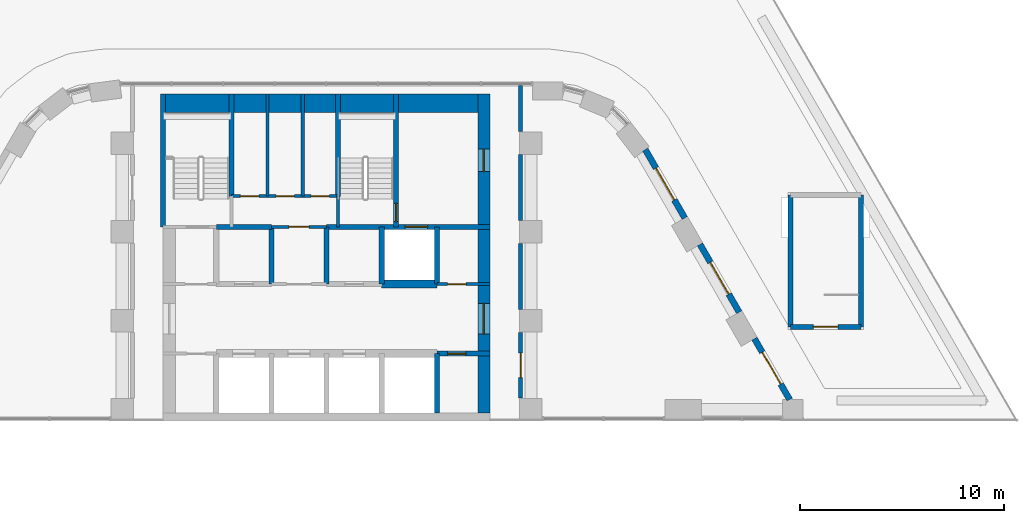
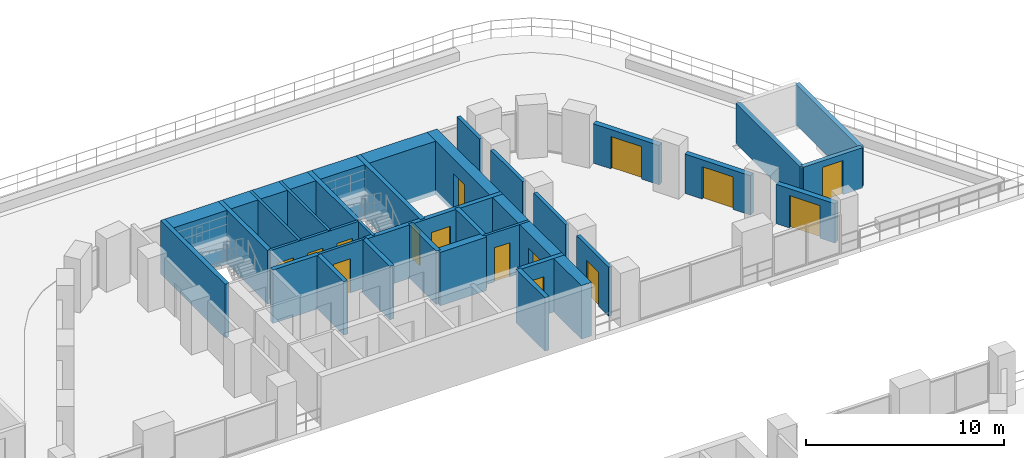
# One storey, part 14 of 24: 31 walls, 15 doors, 15 openings.
"""IFC4 building model written with IfcOpenShell, lengths in metres."""

from ifc_helpers import new_model, si_unit, direction, frame, frame_2d, origin, place, context, subcontext, project, spatial, rectangle, extrude, material, layer, layer_set, type_object, element, fill, save


model = new_model("IFC4")

# Units and contexts
model_context = context("Model", 3, precision=1e-05, world=origin(), true_north=direction((0.0, 1.0)))
body_context = subcontext(model_context, "Body", "Model", "MODEL_VIEW")
ifc_project = project(units=[si_unit("LENGTHUNIT", "METRE"), si_unit("AREAUNIT", "SQUARE_METRE"), si_unit("VOLUMEUNIT", "CUBIC_METRE"), si_unit("PLANEANGLEUNIT", "RADIAN"), si_unit("MASSUNIT", "GRAM", prefix="KILO")], contexts=[model_context])

# Site, building, storey
site_placement = place(None, origin())
site = spatial("IfcSite", under=ifc_project, at=site_placement, CompositionType="ELEMENT")
building_placement = place(site_placement, origin())
building = spatial("IfcBuilding", under=site, at=building_placement, Name="Nakaniwa Court", CompositionType="ELEMENT")
storey_placement = place(building_placement, frame((0.0, 0.0, 28.199951171875)))
storey = spatial("IfcBuildingStorey", under=building, at=storey_placement, Name="L06", CompositionType="ELEMENT", Elevation=28.199951171875)

# Wall, opening, door
ifc_material_1 = material(Name="Acoustic double stud partition")
ifc_layer_1 = layer(ifc_material_1, 0.199951171875)
ifc_layer_set_1 = layer_set([ifc_layer_1], Name="Acoustic double stud partition")
wall_type_1 = type_object("IfcWallType", Name="Acoustic double stud partition 200", PredefinedType="PARTITIONING", material=ifc_layer_set_1)
wall_1_placement = place(storey_placement, frame((89.5, 91.73291015625, 0.0), z_axis=(0.0, 0.0, 1.0), x_axis=(0.0, -1.0, 0.0)))
wall_1 = element("IfcWall", 1, at=wall_1_placement, inside=storey, type_object=wall_type_1, Name="Partition PW-073", PredefinedType="PARTITIONING", context=body_context, shape_type="SweptSolid", body=[
    extrude(rectangle(XDim=3.2158203125, YDim=0.199951171875, at=frame_2d((1.60791015625, 0.0))), origin(), (0.0, 0.0, 1.0), 3.025146484375),
])
opening_1_placement = place(wall_1_placement, frame((1.008056640625, 0.0, 0.0)))
opening_1 = element("IfcOpeningElement", 2, at=opening_1_placement, cuts=wall_1, Name="Opening D-30-02", PredefinedType="OPENING", context=body_context, shape_type="SweptSolid", body=[
    extrude(rectangle(XDim=1.199951171875, YDim=2.10009765625, at=frame_2d((0.60009765625, 1.050048828125))), frame((0.0, 0.10986328125, 0.0), z_axis=(0.0, -1.0, 0.0), x_axis=(1.0, 0.0, 0.0)), (0.0, 0.0, 1.0), 0.219970703125),
])
ifc_material_2 = material(Name="Solid core timber door set, black veneer", Category="wood")
door_type_1 = type_object("IfcDoorType", Name="Internal door 1200", OperationType="NOTDEFINED", PredefinedType="DOOR", material=ifc_material_2)
door_1_placement = place(opening_1_placement, origin())
door_1 = element("IfcDoor", 3, at=door_1_placement, inside=storey, type_object=door_type_1, Name="Door D-30-02 L06-028", OperationType="SINGLE_SWING_LEFT", OverallHeight=2.10009765625, OverallWidth=1.199951171875, PredefinedType="DOOR", context=body_context, shape_type="SweptSolid", body=[
    extrude(rectangle(XDim=1.199951171875, YDim=2.10009765625, at=frame_2d((0.60009765625, 1.050048828125))), frame((0.0, 0.02490234375, 0.0), z_axis=(0.0, -1.0, 0.0), x_axis=(1.0, 0.0, 0.0)), (0.0, 0.0, 1.0), 0.050048828125),
])
fill(opening_1, door_1)

# Walls
for number, where, z_axis, x_axis, name in (
    (4, (89.5, 92.866943359375, 0.0), (0.0, 0.0, 1.0), (0.0, 1.0, 0.0), "Partition PW-074"),
    (5, (89.5, 97.217041015625, 0.0), (0.0, 0.0, 1.0), (0.0, 1.0, 0.0), "Partition PW-075"),
):
    element("IfcWall", number, at=place(storey_placement, frame(where, z_axis=z_axis, x_axis=x_axis)), inside=storey, type_object=wall_type_1, Name=name, PredefinedType="PARTITIONING", context=body_context, shape_type="SweptSolid", body=[
        extrude(rectangle(XDim=3.216064453125, YDim=0.199951171875, at=frame_2d((1.60791015625, 0.0))), origin(), (0.0, 0.0, 1.0), 3.025146484375),
    ])
wall_2_placement = place(storey_placement, frame((89.5, 101.56689453125, 0.0), z_axis=(0.0, 0.0, 1.0), x_axis=(0.0, 1.0, 0.0)))
element("IfcWall", 6, at=wall_2_placement, inside=storey, type_object=wall_type_1, Name="Partition PW-076", PredefinedType="PARTITIONING", context=body_context, shape_type="SweptSolid", body=[
    extrude(rectangle(XDim=2.253173828125, YDim=0.199951171875, at=frame_2d((1.12646484375, 0.0))), origin(), (0.0, 0.0, 1.0), 3.025146484375),
])

# Wall, opening, door
ifc_material_3 = material(Name="Charcoal ceramic cladding")
ifc_layer_2 = layer(ifc_material_3, 0.02, Name="Ceramic cladding")
ifc_material_4 = material(Name="Ventilated air cavity")
ifc_layer_3 = layer(ifc_material_4, 0.04, ventilated=True, Name="Ventilated cavity")
ifc_material_5 = material(Name="Mineral wool insulation")
ifc_layer_4 = layer(ifc_material_5, 0.1, Name="Insulation")
ifc_material_6 = material(Name="Cement bonded sheathing board")
ifc_layer_5 = layer(ifc_material_6, 0.012, Name="Sheathing")
ifc_material_7 = material(Name="Cold-formed galvanised stud frame with mineral wool infill")
ifc_layer_6 = layer(ifc_material_7, 0.1, Name="Stud frame")
ifc_material_8 = material(Name="Fire-rated gypsum plasterboard lining")
ifc_layer_7 = layer(ifc_material_8, 0.028, Name="Lining")
ifc_layer_set_2 = layer_set([ifc_layer_2, ifc_layer_3, ifc_layer_4, ifc_layer_5, ifc_layer_6, ifc_layer_7], Name="Charcoal ceramic faced external wall system")
wall_type_2 = type_object("IfcWallType", Name="Black ceramic faced external wall 300", PredefinedType="SOLIDWALL", material=ifc_layer_set_2)
wall_3_placement = place(storey_placement, frame((102.6630859375, 88.446533203125, 0.0), z_axis=(0.0, 0.0, 1.0), x_axis=(-0.500035437112, 0.866004943191, 0.0)))
wall_3 = element("IfcWall", 7, at=wall_3_placement, inside=storey, type_object=wall_type_2, Name="L06 deck wall 21", PredefinedType="SOLIDWALL", context=body_context, shape_type="SweptSolid", body=[
    extrude(rectangle(XDim=3.443603515625, YDim=0.300048828125, at=frame_2d((1.7216796875, 0.0))), origin(), (0.0, 0.0, 1.0), 2.425048828125),
])
opening_2_placement = place(wall_3_placement, frame((0.872314453125, 0.0, 0.0)))
opening_2 = element("IfcOpeningElement", 8, at=opening_2_placement, cuts=wall_3, Name="Opening XD9.09", PredefinedType="OPENING", context=body_context, shape_type="SweptSolid", body=[
    extrude(rectangle(XDim=1.800048828125, YDim=2.0, at=frame_2d((0.89990234375, 1.0))), frame((0.0, 0.159912109375, 0.0), z_axis=(0.0, -1.0, 0.0), x_axis=(1.0, 0.0, 0.0)), (0.0, 0.0, 1.0), 0.320068359375),
])
ifc_material_9 = material(Name="Black powder-coated aluminium frame with dark laminated glass", Category="aluminium")
door_type_2 = type_object("IfcDoorType", Name="Deck double door 1800x2000", OperationType="DOUBLE_DOOR_SINGLE_SWING", PredefinedType="DOOR", material=ifc_material_9)
door_2_placement = place(opening_2_placement, frame((1.800048828125, 0.0, 0.0), z_axis=(0.0, 0.0, 1.0), x_axis=(-1.0, 0.0, 0.0)))
door_2 = element("IfcDoor", 9, at=door_2_placement, inside=storey, type_object=door_type_2, Name="L06 deck double door 21", OperationType="DOUBLE_DOOR_SINGLE_SWING", OverallHeight=2.0, OverallWidth=1.800048828125, PredefinedType="DOOR", context=body_context, shape_type="SweptSolid", body=[
    extrude(rectangle(XDim=1.800048828125, YDim=2.0, at=frame_2d((0.89990234375, 1.0))), frame((0.0, 0.02490234375, 0.0), z_axis=(0.0, -1.0, 0.0), x_axis=(1.0, 0.0, 0.0)), (0.0, 0.0, 1.0), 0.050048828125),
])
fill(opening_2, door_2)

wall_4_placement = place(storey_placement, frame((100.1953125, 92.720703125, 0.0), z_axis=(0.0, 0.0, 1.0), x_axis=(-0.500001735503, 0.866024401789, 0.0)))
wall_4 = element("IfcWall", 10, at=wall_4_placement, inside=storey, type_object=wall_type_2, Name="L06 deck wall 22", PredefinedType="SOLIDWALL", context=body_context, shape_type="SweptSolid", body=[
    extrude(rectangle(XDim=3.833984375, YDim=0.300048828125, at=frame_2d((1.9169921875, 0.0))), origin(), (0.0, 0.0, 1.0), 2.425048828125),
])
opening_3_placement = place(wall_4_placement, frame((1.01708984375, 0.0, 0.0)))
opening_3 = element("IfcOpeningElement", 11, at=opening_3_placement, cuts=wall_4, Name="Opening XD9.10", PredefinedType="OPENING", context=body_context, shape_type="SweptSolid", body=[
    extrude(rectangle(XDim=1.800048828125, YDim=2.0, at=frame_2d((0.89990234375, 1.0))), frame((0.0, 0.159912109375, 0.0), z_axis=(0.0, -1.0, 0.0), x_axis=(1.0, 0.0, 0.0)), (0.0, 0.0, 1.0), 0.320068359375),
])
door_3_placement = place(opening_3_placement, frame((1.800048828125, 0.0, 0.0), z_axis=(0.0, 0.0, 1.0), x_axis=(-1.0, 0.0, 0.0)))
door_3 = element("IfcDoor", 12, at=door_3_placement, inside=storey, type_object=door_type_2, Name="L06 deck double door 22", OperationType="DOUBLE_DOOR_SINGLE_SWING", OverallHeight=2.0, OverallWidth=1.800048828125, PredefinedType="DOOR", context=body_context, shape_type="SweptSolid", body=[
    extrude(rectangle(XDim=1.800048828125, YDim=2.0, at=frame_2d((0.89990234375, 1.0))), frame((0.0, 0.02490234375, 0.0), z_axis=(0.0, -1.0, 0.0), x_axis=(1.0, 0.0, 0.0)), (0.0, 0.0, 1.0), 0.050048828125),
])
fill(opening_3, door_3)

wall_5_placement = place(storey_placement, frame((97.5322265625, 97.3330078125, 0.0), z_axis=(0.0, 0.0, 1.0), x_axis=(-0.499948341072, 0.866055227026, 0.0)))
wall_5 = element("IfcWall", 13, at=wall_5_placement, inside=storey, type_object=wall_type_2, Name="L06 deck wall 23", PredefinedType="SOLIDWALL", context=body_context, shape_type="SweptSolid", body=[
    extrude(rectangle(XDim=3.8671875, YDim=0.300048828125, at=frame_2d((1.93359375, 0.0))), origin(), (0.0, 0.0, 1.0), 2.425048828125),
])
opening_4_placement = place(wall_5_placement, frame((1.022216796875, 0.0, 0.0)))
opening_4 = element("IfcOpeningElement", 14, at=opening_4_placement, cuts=wall_5, Name="Opening XD9.11", PredefinedType="OPENING", context=body_context, shape_type="SweptSolid", body=[
    extrude(rectangle(XDim=1.800048828125, YDim=2.0, at=frame_2d((0.89990234375, 1.0))), frame((0.0, 0.159912109375, 0.0), z_axis=(0.0, -1.0, 0.0), x_axis=(1.0, 0.0, 0.0)), (0.0, 0.0, 1.0), 0.320068359375),
])
door_4_placement = place(opening_4_placement, frame((1.800048828125, 0.0, 0.0), z_axis=(0.0, 0.0, 1.0), x_axis=(-1.0, 0.0, 0.0)))
door_4 = element("IfcDoor", 15, at=door_4_placement, inside=storey, type_object=door_type_2, Name="L06 deck double door 23", OperationType="DOUBLE_DOOR_SINGLE_SWING", OverallHeight=2.0, OverallWidth=1.800048828125, PredefinedType="DOOR", context=body_context, shape_type="SweptSolid", body=[
    extrude(rectangle(XDim=1.800048828125, YDim=2.0, at=frame_2d((0.89990234375, 1.0))), frame((0.0, 0.02490234375, 0.0), z_axis=(0.0, -1.0, 0.0), x_axis=(1.0, 0.0, 0.0)), (0.0, 0.0, 1.0), 0.050048828125),
])
fill(opening_4, door_4)

ifc_material_10 = material(Name="Blockwork partition", Category="masonry")
ifc_layer_8 = layer(ifc_material_10, 0.14990234375)
ifc_layer_set_3 = layer_set([ifc_layer_8], Name="Blockwork partition")
wall_type_3 = type_object("IfcWallType", Name="Blockwork partition 150", PredefinedType="PARTITIONING", material=ifc_layer_set_3)
wall_6_placement = place(storey_placement, frame((85.39697265625, 94.10009765625, 0.0), z_axis=(0.0, 0.0, 1.0), x_axis=(1.0, 0.0, 0.0)))
wall_6 = element("IfcWall", 16, at=wall_6_placement, inside=storey, type_object=wall_type_3, Name="Partition PW-018", PredefinedType="PARTITIONING", context=body_context, shape_type="SweptSolid", body=[
    extrude(rectangle(XDim=2.60302734375, YDim=0.14990234375, at=frame_2d((1.301513671875, 0.0))), origin(), (0.0, 0.0, 1.0), 3.025146484375),
])
opening_5_placement = place(wall_6_placement, frame((0.528076171875, 0.0, 0.0)))
opening_5 = element("IfcOpeningElement", 17, at=opening_5_placement, cuts=wall_6, Name="Opening D-05-05", PredefinedType="OPENING", context=body_context, shape_type="SweptSolid", body=[
    extrude(rectangle(XDim=0.89990234375, YDim=2.10009765625, at=frame_2d((0.449951171875, 1.050048828125))), frame((0.0, 0.0849609375, 0.0), z_axis=(0.0, -1.0, 0.0), x_axis=(1.0, 0.0, 0.0)), (0.0, 0.0, 1.0), 0.169921875),
])
ifc_material_11 = material(Name="Fire rated steel door set", Category="steel")
door_type_3 = type_object("IfcDoorType", Name="Service room door 900", OperationType="NOTDEFINED", PredefinedType="DOOR", material=ifc_material_11)
door_5_placement = place(opening_5_placement, origin())
door_5 = element("IfcDoor", 18, at=door_5_placement, inside=storey, type_object=door_type_3, Name="Door D-05-05 L06-007", OperationType="SINGLE_SWING_RIGHT", OverallHeight=2.10009765625, OverallWidth=0.89990234375, PredefinedType="DOOR", context=body_context, shape_type="SweptSolid", body=[
    extrude(rectangle(XDim=0.89990234375, YDim=2.10009765625, at=frame_2d((0.449951171875, 1.050048828125))), frame((0.0, 0.02490234375, 0.0), z_axis=(0.0, -1.0, 0.0), x_axis=(1.0, 0.0, 0.0)), (0.0, 0.0, 1.0), 0.050048828125),
])
fill(opening_5, door_5)

wall_7_placement = place(storey_placement, frame((77.300048828125, 96.89990234375, 0.0), z_axis=(0.0, 0.0, 1.0), x_axis=(1.0, 0.0, 0.0)))
wall_7 = element("IfcWall", 19, at=wall_7_placement, inside=storey, type_object=wall_type_3, Name="Partition PW-025", PredefinedType="PARTITIONING", context=body_context, shape_type="SweptSolid", body=[
    extrude(rectangle(XDim=2.699951171875, YDim=0.14990234375, at=frame_2d((1.35009765625, 0.0))), origin(), (0.0, 0.0, 1.0), 3.025146484375),
])
opening_6_placement = place(wall_7_placement, frame((0.85009765625, 0.0, 0.0)))
opening_6 = element("IfcOpeningElement", 20, at=opening_6_placement, cuts=wall_7, Name="Opening D-23-01", PredefinedType="OPENING", context=body_context, shape_type="SweptSolid", body=[
    extrude(rectangle(XDim=1.0, YDim=2.10009765625, at=frame_2d((0.5, 1.050048828125))), frame((0.0, 0.0849609375, 0.0), z_axis=(0.0, -1.0, 0.0), x_axis=(1.0, 0.0, 0.0)), (0.0, 0.0, 1.0), 0.169921875),
])
door_type_4 = type_object("IfcDoorType", Name="Service room door 1000", OperationType="NOTDEFINED", PredefinedType="DOOR", material=ifc_material_11)
door_6_placement = place(opening_6_placement, origin())
door_6 = element("IfcDoor", 21, at=door_6_placement, inside=storey, type_object=door_type_4, Name="Door D-23-01 L06-008", OperationType="SINGLE_SWING_LEFT", OverallHeight=2.10009765625, OverallWidth=1.0, PredefinedType="DOOR", context=body_context, shape_type="SweptSolid", body=[
    extrude(rectangle(XDim=1.0, YDim=2.10009765625, at=frame_2d((0.5, 1.050048828125))), frame((0.0, 0.02490234375, 0.0), z_axis=(0.0, -1.0, 0.0), x_axis=(1.0, 0.0, 0.0)), (0.0, 0.0, 1.0), 0.050048828125),
])
fill(opening_6, door_6)

# Wall, openings, doors
wall_8_placement = place(storey_placement, frame((75.35009765625, 98.39990234375, 0.0), z_axis=(0.0, 0.0, 1.0), x_axis=(1.0, 0.0, 0.0)))
wall_8 = element("IfcWall", 22, at=wall_8_placement, inside=storey, type_object=wall_type_3, Name="Partition PW-032", PredefinedType="PARTITIONING", context=body_context, shape_type="SweptSolid", body=[
    extrude(rectangle(XDim=5.199951171875, YDim=0.14990234375, at=frame_2d((2.60009765625, 0.0))), origin(), (0.0, 0.0, 1.0), 3.025146484375),
])
opening_7_placement = place(wall_8_placement, frame((0.43408203125, 0.0, 0.0)))
opening_7 = element("IfcOpeningElement", 23, at=opening_7_placement, cuts=wall_8, Name="Opening D-05-06", PredefinedType="OPENING", context=body_context, shape_type="SweptSolid", body=[
    extrude(rectangle(XDim=0.89990234375, YDim=2.10009765625, at=frame_2d((0.449951171875, 1.050048828125))), frame((0.0, 0.0849609375, 0.0), z_axis=(0.0, -1.0, 0.0), x_axis=(1.0, 0.0, 0.0)), (0.0, 0.0, 1.0), 0.169921875),
])
opening_8_placement = place(wall_8_placement, frame((2.176025390625, 0.0, 0.0)))
opening_8 = element("IfcOpeningElement", 24, at=opening_8_placement, cuts=wall_8, Name="Opening D-05-07", PredefinedType="OPENING", context=body_context, shape_type="SweptSolid", body=[
    extrude(rectangle(XDim=0.89990234375, YDim=2.10009765625, at=frame_2d((0.449951171875, 1.050048828125))), frame((0.0, 0.0849609375, 0.0), z_axis=(0.0, -1.0, 0.0), x_axis=(1.0, 0.0, 0.0)), (0.0, 0.0, 1.0), 0.169921875),
])
opening_9_placement = place(wall_8_placement, frame((3.89208984375, 0.0, 0.0)))
opening_9 = element("IfcOpeningElement", 25, at=opening_9_placement, cuts=wall_8, Name="Opening D-05-08", PredefinedType="OPENING", context=body_context, shape_type="SweptSolid", body=[
    extrude(rectangle(XDim=0.89990234375, YDim=2.10009765625, at=frame_2d((0.449951171875, 1.050048828125))), frame((0.0, 0.0849609375, 0.0), z_axis=(0.0, -1.0, 0.0), x_axis=(1.0, 0.0, 0.0)), (0.0, 0.0, 1.0), 0.169921875),
])
door_7_placement = place(opening_7_placement, origin())
door_7 = element("IfcDoor", 26, at=door_7_placement, inside=storey, type_object=door_type_3, Name="Door D-05-06 L06-009", OperationType="SINGLE_SWING_RIGHT", OverallHeight=2.10009765625, OverallWidth=0.89990234375, PredefinedType="DOOR", context=body_context, shape_type="SweptSolid", body=[
    extrude(rectangle(XDim=0.89990234375, YDim=2.10009765625, at=frame_2d((0.449951171875, 1.050048828125))), frame((0.0, 0.02490234375, 0.0), z_axis=(0.0, -1.0, 0.0), x_axis=(1.0, 0.0, 0.0)), (0.0, 0.0, 1.0), 0.050048828125),
])
fill(opening_7, door_7)
door_8_placement = place(opening_8_placement, origin())
door_8 = element("IfcDoor", 27, at=door_8_placement, inside=storey, type_object=door_type_3, Name="Door D-05-07 L06-010", OperationType="SINGLE_SWING_LEFT", OverallHeight=2.10009765625, OverallWidth=0.89990234375, PredefinedType="DOOR", context=body_context, shape_type="SweptSolid", body=[
    extrude(rectangle(XDim=0.89990234375, YDim=2.10009765625, at=frame_2d((0.449951171875, 1.050048828125))), frame((0.0, 0.02490234375, 0.0), z_axis=(0.0, -1.0, 0.0), x_axis=(1.0, 0.0, 0.0)), (0.0, 0.0, 1.0), 0.050048828125),
])
fill(opening_8, door_8)
door_9_placement = place(opening_9_placement, origin())
door_9 = element("IfcDoor", 28, at=door_9_placement, inside=storey, type_object=door_type_3, Name="Door D-05-08 L06-011", OperationType="SINGLE_SWING_RIGHT", OverallHeight=2.10009765625, OverallWidth=0.89990234375, PredefinedType="DOOR", context=body_context, shape_type="SweptSolid", body=[
    extrude(rectangle(XDim=0.89990234375, YDim=2.10009765625, at=frame_2d((0.449951171875, 1.050048828125))), frame((0.0, 0.02490234375, 0.0), z_axis=(0.0, -1.0, 0.0), x_axis=(1.0, 0.0, 0.0)), (0.0, 0.0, 1.0), 0.050048828125),
])
fill(opening_9, door_9)

# Walls
for number, where, z_axis, x_axis, name in (
    (29, (77.117919921875, 98.39990234375, 0.0), (0.0, 0.0, 1.0), (0.0, 1.0, 0.0), "Partition PW-033"),
    (30, (78.833984375, 98.39990234375, 0.0), (0.0, 0.0, 1.0), (0.0, 1.0, 0.0), "Partition PW-034"),
):
    element("IfcWall", number, at=place(storey_placement, frame(where, z_axis=z_axis, x_axis=x_axis)), inside=storey, type_object=wall_type_3, Name=name, PredefinedType="PARTITIONING", context=body_context, shape_type="SweptSolid", body=[
        extrude(rectangle(XDim=5.0, YDim=0.14990234375, at=frame_2d((2.5, 0.0))), origin(), (0.0, 0.0, 1.0), 3.025146484375),
    ])

# Wall, openings, doors
ifc_material_12 = material(Name="Concrete C100/115", Category="concrete")
ifc_layer_9 = layer(ifc_material_12, 0.60009765625)
ifc_layer_set_4 = layer_set([ifc_layer_9], Name="Concrete C100/115")
wall_type_4 = type_object("IfcWallType", Name="Concrete core side wall 600 C100", PredefinedType="SHEAR", material=ifc_layer_set_4)
wall_9_placement = place(storey_placement, frame((87.699951171875, 103.39990234375, -0.27490234375), z_axis=(0.0, 0.0, 1.0), x_axis=(0.0, -1.0, 0.0)))
wall_9 = element("IfcWall", 31, at=wall_9_placement, inside=storey, type_object=wall_type_4, Name="Core wall SW-15", PredefinedType="SHEAR", context=body_context, shape_type="SweptSolid", body=[
    extrude(rectangle(XDim=15.599853515625, YDim=0.60009765625, at=frame_2d((7.7998046875, 0.0))), origin(), (0.0, 0.0, 1.0), 3.300048828125),
])
opening_10_placement = place(wall_9_placement, frame((10.25, 0.0, 0.27490234375)))
opening_10 = element("IfcOpeningElement", 32, at=opening_10_placement, cuts=wall_9, Name="Opening D-07-01", PredefinedType="OPENING", context=body_context, shape_type="SweptSolid", body=[
    extrude(rectangle(XDim=1.5, YDim=2.10009765625, at=frame_2d((0.75, 1.050048828125))), frame((0.0, 0.31005859375, 0.0), z_axis=(0.0, -1.0, 0.0), x_axis=(1.0, 0.0, 0.0)), (0.0, 0.0, 1.0), 0.6201171875),
])
opening_11_placement = place(wall_9_placement, frame((2.699951171875, 0.0, 0.27490234375)))
opening_11 = element("IfcOpeningElement", 33, at=opening_11_placement, cuts=wall_9, Name="Opening D-10-01", PredefinedType="OPENING", context=body_context, shape_type="SweptSolid", body=[
    extrude(rectangle(XDim=1.10009765625, YDim=2.10009765625, at=frame_2d((0.550048828125, 1.050048828125))), frame((0.0, 0.31005859375, 0.0), z_axis=(0.0, -1.0, 0.0), x_axis=(1.0, 0.0, 0.0)), (0.0, 0.0, 1.0), 0.6201171875),
])
door_type_5 = type_object("IfcDoorType", Name="Firefighting lobby door 1100", OperationType="NOTDEFINED", PredefinedType="DOOR", material=ifc_material_11)
door_10_placement = place(opening_11_placement, origin())
door_10 = element("IfcDoor", 34, at=door_10_placement, inside=storey, type_object=door_type_5, Name="Door D-10-01 L06-033", OperationType="SINGLE_SWING_RIGHT", OverallHeight=2.10009765625, OverallWidth=1.10009765625, PredefinedType="DOOR", context=body_context, shape_type="SweptSolid", body=[
    extrude(rectangle(XDim=1.10009765625, YDim=2.10009765625, at=frame_2d((0.550048828125, 1.050048828125))), frame((0.0, 0.02490234375, 0.0), z_axis=(0.0, -1.0, 0.0), x_axis=(1.0, 0.0, 0.0)), (0.0, 0.0, 1.0), 0.050048828125),
])
fill(opening_11, door_10)
ifc_material_13 = material(Name="Glazed fire rated steel double door set", Category="steel")
door_type_6 = type_object("IfcDoorType", Name="Lobby double door 1500", OperationType="NOTDEFINED", PredefinedType="DOOR", material=ifc_material_13)
door_11_placement = place(opening_10_placement, origin())
door_11 = element("IfcDoor", 35, at=door_11_placement, inside=storey, type_object=door_type_6, Name="Door D-07-01 L06-031", OperationType="DOUBLE_DOOR_SINGLE_SWING", OverallHeight=2.10009765625, OverallWidth=1.5, PredefinedType="DOOR", context=body_context, shape_type="SweptSolid", body=[
    extrude(rectangle(XDim=1.5, YDim=2.10009765625, at=frame_2d((0.75, 1.050048828125))), frame((0.0, 0.02490234375, 0.0), z_axis=(0.0, -1.0, 0.0), x_axis=(1.0, 0.0, 0.0)), (0.0, 0.0, 1.0), 0.050048828125),
])
fill(opening_10, door_11)

# Walls
ifc_layer_10 = layer(ifc_material_12, 0.39990234375)
ifc_layer_set_5 = layer_set([ifc_layer_10], Name="Concrete C100/115")
wall_type_5 = type_object("IfcWallType", Name="Concrete core spine wall 400 C100", PredefinedType="SHEAR", material=ifc_layer_set_5)
wall_10_placement = place(storey_placement, frame((82.697021484375, 94.10009765625, -0.27490234375), z_axis=(0.0, 0.0, 1.0), x_axis=(1.0, 0.0, 0.0)))
element("IfcWall", 36, at=wall_10_placement, inside=storey, type_object=wall_type_5, Name="Core wall SW-21", PredefinedType="SHEAR", context=body_context, shape_type="SweptSolid", body=[
    extrude(rectangle(XDim=2.7060546875, YDim=0.39990234375, at=frame_2d((1.35302734375, 0.0))), origin(), (0.0, 0.0, 1.0), 3.300048828125),
])
ifc_layer_11 = layer(ifc_material_12, 0.14990234375)
ifc_layer_set_6 = layer_set([ifc_layer_11], Name="Concrete C100/115")
wall_type_6 = type_object("IfcWallType", Name="Concrete core wall 150 C100", PredefinedType="SHEAR", material=ifc_layer_set_6)
wall_11_placement = place(storey_placement, frame((80.550048828125, 96.89990234375, -0.27490234375), z_axis=(0.0, 0.0, 1.0), x_axis=(0.0, 1.0, 0.0)))
element("IfcWall", 37, at=wall_11_placement, inside=storey, type_object=wall_type_6, Name="Core wall SW-30", PredefinedType="SHEAR", context=body_context, shape_type="SweptSolid", body=[
    extrude(rectangle(XDim=1.503173828125, YDim=0.14990234375, at=frame_2d((0.75146484375, 0.0))), origin(), (0.0, 0.0, 1.0), 3.300048828125),
])
ifc_layer_12 = layer(ifc_material_12, 0.25)
ifc_layer_set_7 = layer_set([ifc_layer_12], Name="Concrete C100/115")
wall_type_7 = type_object("IfcWallType", Name="Concrete core wall 250 C100", PredefinedType="SHEAR", material=ifc_layer_set_7)
wall_12_placement = place(storey_placement, frame((72.0, 96.89990234375, -0.27490234375), z_axis=(0.0, 0.0, 1.0), x_axis=(0.0, 1.0, 0.0)))
element("IfcWall", 38, at=wall_12_placement, inside=storey, type_object=wall_type_7, Name="Core wall SW-28", PredefinedType="SHEAR", context=body_context, shape_type="SweptSolid", body=[
    extrude(rectangle(XDim=6.5, YDim=0.25, at=frame_2d((3.25, 0.0))), origin(), (0.0, 0.0, 1.0), 3.300048828125),
])
ifc_layer_13 = layer(ifc_material_12, 0.89990234375)
ifc_layer_set_8 = layer_set([ifc_layer_13], Name="Concrete C100/115")
wall_type_8 = type_object("IfcWallType", Name="Concrete core wall 900 C100", PredefinedType="SHEAR", material=ifc_layer_set_8)
wall_13_placement = place(storey_placement, frame((72.00390625, 102.949951171875, -0.27490234375), z_axis=(0.0, 0.0, 1.0), x_axis=(1.0, 0.0, 0.0)))
element("IfcWall", 39, at=wall_13_placement, inside=storey, type_object=wall_type_8, Name="Core wall SW-86", PredefinedType="SHEAR", context=body_context, shape_type="SweptSolid", body=[
    extrude(rectangle(XDim=15.9921875, YDim=0.89990234375, at=frame_2d((7.99609375, 0.0))), origin(), (0.0, 0.0, 1.0), 3.300048828125),
])
ifc_layer_14 = layer(ifc_material_12, 0.25)
ifc_layer_set_9 = layer_set([ifc_layer_14], Name="Concrete C100/115")
wall_type_9 = type_object("IfcWallType", Name="Concrete shaft wall 250 C100", PredefinedType="SHEAR", material=ifc_layer_set_9)
for number, where, z_axis, x_axis, name in (
    (40, (77.300048828125, 94.10009765625, -0.27490234375), (0.0, 0.0, 1.0), (0.0, 1.0, 0.0), "Core wall SW-06"),
    (41, (80.0, 94.10009765625, -0.27490234375), (0.0, 0.0, 1.0), (0.0, 1.0, 0.0), "Core wall SW-09"),
    (42, (82.699951171875, 94.10009765625, -0.27490234375), (0.0, 0.0, 1.0), (0.0, 1.0, 0.0), "Core wall SW-11"),
):
    element("IfcWall", number, at=place(storey_placement, frame(where, z_axis=z_axis, x_axis=x_axis)), inside=storey, type_object=wall_type_9, Name=name, PredefinedType="SHEAR", context=body_context, shape_type="SweptSolid", body=[
        extrude(rectangle(XDim=2.7998046875, YDim=0.25, at=frame_2d((1.39990234375, 0.0))), origin(), (0.0, 0.0, 1.0), 3.300048828125),
    ])
wall_14_placement = place(storey_placement, frame((85.39990234375, 87.800048828125, -0.27490234375), z_axis=(0.0, 0.0, 1.0), x_axis=(0.0, 1.0, 0.0)))
element("IfcWall", 43, at=wall_14_placement, inside=storey, type_object=wall_type_9, Name="Core wall SW-12", PredefinedType="SHEAR", context=body_context, shape_type="SweptSolid", body=[
    extrude(rectangle(XDim=2.89990234375, YDim=0.25, at=frame_2d((1.449951171875, 0.0))), origin(), (0.0, 0.0, 1.0), 3.300048828125),
])
wall_15_placement = place(storey_placement, frame((85.39990234375, 94.10009765625, -0.27490234375), z_axis=(0.0, 0.0, 1.0), x_axis=(0.0, 1.0, 0.0)))
element("IfcWall", 44, at=wall_15_placement, inside=storey, type_object=wall_type_9, Name="Core wall SW-13", PredefinedType="SHEAR", context=body_context, shape_type="SweptSolid", body=[
    extrude(rectangle(XDim=2.7998046875, YDim=0.25, at=frame_2d((1.39990234375, 0.0))), origin(), (0.0, 0.0, 1.0), 3.300048828125),
])

# Wall, opening, door
wall_16_placement = place(storey_placement, frame((88.0, 90.699951171875, -0.27490234375), z_axis=(0.0, 0.0, 1.0), x_axis=(-1.0, 0.0, 0.0)))
wall_16 = element("IfcWall", 45, at=wall_16_placement, inside=storey, type_object=wall_type_9, Name="Core wall SW-14", PredefinedType="SHEAR", context=body_context, shape_type="SweptSolid", body=[
    extrude(rectangle(XDim=2.60009765625, YDim=0.25, at=frame_2d((1.300048828125, 0.0))), origin(), (0.0, 0.0, 1.0), 3.300048828125),
])
opening_12_placement = place(wall_16_placement, frame((1.175048828125, 0.0, 0.27490234375)))
opening_12 = element("IfcOpeningElement", 46, at=opening_12_placement, cuts=wall_16, Name="Opening D-05-02", PredefinedType="OPENING", context=body_context, shape_type="SweptSolid", body=[
    extrude(rectangle(XDim=0.89990234375, YDim=2.10009765625, at=frame_2d((0.449951171875, 1.050048828125))), frame((0.0, 0.135009765625, 0.0), z_axis=(0.0, -1.0, 0.0), x_axis=(1.0, 0.0, 0.0)), (0.0, 0.0, 1.0), 0.27001953125),
])
door_12_placement = place(opening_12_placement, origin())
door_12 = element("IfcDoor", 47, at=door_12_placement, inside=storey, type_object=door_type_3, Name="Door D-05-02 L06-002", OperationType="SINGLE_SWING_LEFT", OverallHeight=2.10009765625, OverallWidth=0.89990234375, PredefinedType="DOOR", context=body_context, shape_type="SweptSolid", body=[
    extrude(rectangle(XDim=0.89990234375, YDim=2.10009765625, at=frame_2d((0.449951171875, 1.050048828125))), frame((0.0, 0.02490234375, 0.0), z_axis=(0.0, -1.0, 0.0), x_axis=(1.0, 0.0, 0.0)), (0.0, 0.0, 1.0), 0.050048828125),
])
fill(opening_12, door_12)

# Wall
wall_17_placement = place(storey_placement, frame((74.60009765625, 96.89990234375, -0.27490234375), z_axis=(0.0, 0.0, 1.0), x_axis=(1.0, 0.0, 0.0)))
element("IfcWall", 48, at=wall_17_placement, inside=storey, type_object=wall_type_9, Name="Core wall SW-23", PredefinedType="SHEAR", context=body_context, shape_type="SweptSolid", body=[
    extrude(rectangle(XDim=2.699951171875, YDim=0.25, at=frame_2d((1.35009765625, 0.0))), origin(), (0.0, 0.0, 1.0), 3.300048828125),
])

# Wall, opening, door
wall_18_placement = place(storey_placement, frame((80.0, 96.89990234375, -0.27490234375), z_axis=(0.0, 0.0, 1.0), x_axis=(1.0, 0.0, 0.0)))
wall_18 = element("IfcWall", 49, at=wall_18_placement, inside=storey, type_object=wall_type_9, Name="Core wall SW-24", PredefinedType="SHEAR", context=body_context, shape_type="SweptSolid", body=[
    extrude(rectangle(XDim=8.0, YDim=0.25, at=frame_2d((4.0, 0.0))), origin(), (0.0, 0.0, 1.0), 3.300048828125),
])
opening_13_placement = place(wall_18_placement, frame((3.84912109375, 0.0, 0.27490234375)))
opening_13 = element("IfcOpeningElement", 50, at=opening_13_placement, cuts=wall_18, Name="Opening LD04", PredefinedType="OPENING", context=body_context, shape_type="SweptSolid", body=[
    extrude(rectangle(XDim=1.10009765625, YDim=2.10009765625, at=frame_2d((0.550048828125, 1.050048828125))), frame((0.0, 0.135009765625, 0.0), z_axis=(0.0, -1.0, 0.0), x_axis=(1.0, 0.0, 0.0)), (0.0, 0.0, 1.0), 0.27001953125),
])
ifc_material_14 = material(Name="Stainless steel sliding lift landing door", Category="steel")
door_type_7 = type_object("IfcDoorType", Name="Lift landing door 1100", OperationType="NOTDEFINED", PredefinedType="DOOR", material=ifc_material_14)
door_13_placement = place(opening_13_placement, origin())
door_13 = element("IfcDoor", 51, at=door_13_placement, inside=storey, type_object=door_type_7, Name="Lift landing door LD04 L06-004", OperationType="SLIDING_TO_LEFT", OverallHeight=2.10009765625, OverallWidth=1.10009765625, PredefinedType="DOOR", context=body_context, shape_type="SweptSolid", body=[
    extrude(rectangle(XDim=1.10009765625, YDim=2.10009765625, at=frame_2d((0.550048828125, 1.050048828125))), frame((0.0, 0.02490234375, 0.0), z_axis=(0.0, -1.0, 0.0), x_axis=(1.0, 0.0, 0.0)), (0.0, 0.0, 1.0), 0.050048828125),
])
fill(opening_13, door_13)

# Wall
wall_19_placement = place(storey_placement, frame((75.35009765625, 98.39697265625, -0.27490234375), z_axis=(0.0, 0.0, 1.0), x_axis=(0.0, 1.0, 0.0)))
element("IfcWall", 52, at=wall_19_placement, inside=storey, type_object=wall_type_9, Name="Core wall SW-27", PredefinedType="SHEAR", context=body_context, shape_type="SweptSolid", body=[
    extrude(rectangle(XDim=5.0029296875, YDim=0.25, at=frame_2d((2.50146484375, 0.0))), origin(), (0.0, 0.0, 1.0), 3.300048828125),
])

# Wall, opening, door
wall_20_placement = place(storey_placement, frame((83.39990234375, 103.39990234375, -0.27490234375), z_axis=(0.0, 0.0, 1.0), x_axis=(0.0, -1.0, 0.0)))
wall_20 = element("IfcWall", 53, at=wall_20_placement, inside=storey, type_object=wall_type_9, Name="Core wall SW-29", PredefinedType="SHEAR", context=body_context, shape_type="SweptSolid", body=[
    extrude(rectangle(XDim=6.5, YDim=0.25, at=frame_2d((3.25, 0.0))), origin(), (0.0, 0.0, 1.0), 3.300048828125),
])
opening_14_placement = place(wall_20_placement, frame((5.35009765625, 0.0, 0.27490234375)))
opening_14 = element("IfcOpeningElement", 54, at=opening_14_placement, cuts=wall_20, Name="Opening D-11-01", PredefinedType="OPENING", context=body_context, shape_type="SweptSolid", body=[
    extrude(rectangle(XDim=0.89990234375, YDim=2.10009765625, at=frame_2d((0.449951171875, 1.050048828125))), frame((0.0, 0.135009765625, 0.0), z_axis=(0.0, -1.0, 0.0), x_axis=(1.0, 0.0, 0.0)), (0.0, 0.0, 1.0), 0.27001953125),
])
door_type_8 = type_object("IfcDoorType", Name="Stair door 900", OperationType="NOTDEFINED", PredefinedType="DOOR", material=ifc_material_11)
door_14_placement = place(opening_14_placement, origin())
door_14 = element("IfcDoor", 55, at=door_14_placement, inside=storey, type_object=door_type_8, Name="Door D-11-01 L06-013", OperationType="SINGLE_SWING_LEFT", OverallHeight=2.10009765625, OverallWidth=0.89990234375, PredefinedType="DOOR", context=body_context, shape_type="SweptSolid", body=[
    extrude(rectangle(XDim=0.89990234375, YDim=2.10009765625, at=frame_2d((0.449951171875, 1.050048828125))), frame((0.0, 0.02490234375, 0.0), z_axis=(0.0, -1.0, 0.0), x_axis=(1.0, 0.0, 0.0)), (0.0, 0.0, 1.0), 0.050048828125),
])
fill(opening_14, door_14)

# Wall
wall_21_placement = place(storey_placement, frame((80.550048828125, 98.39697265625, -0.27490234375), z_axis=(0.0, 0.0, 1.0), x_axis=(0.0, 1.0, 0.0)))
element("IfcWall", 56, at=wall_21_placement, inside=storey, type_object=wall_type_9, Name="Core wall SW-31", PredefinedType="SHEAR", context=body_context, shape_type="SweptSolid", body=[
    extrude(rectangle(XDim=5.0029296875, YDim=0.25, at=frame_2d((2.50146484375, 0.0))), origin(), (0.0, 0.0, 1.0), 3.300048828125),
])

# Wall, opening, door
ifc_layer_15 = layer(ifc_material_12, 0.25)
ifc_layer_set_10 = layer_set([ifc_layer_15], Name="Concrete C100/115")
wall_type_10 = type_object("IfcWallType", Name="Concrete shaft wall 250 C100 external", PredefinedType="SHEAR", material=ifc_layer_set_10)
wall_22_placement = place(storey_placement, frame((102.699951171875, 92.0, 0.0), z_axis=(0.0, 0.0, 1.0), x_axis=(1.0, 0.0, 0.0)))
wall_22 = element("IfcWall", 57, at=wall_22_placement, inside=storey, type_object=wall_type_10, Name="Stair head house wall SW-89", PredefinedType="SHEAR", context=body_context, shape_type="SweptSolid", body=[
    extrude(rectangle(XDim=3.449951171875, YDim=0.25, at=frame_2d((1.72509765625, 0.0))), origin(), (0.0, 0.0, 1.0), 2.5),
])
opening_15_placement = place(wall_22_placement, frame((1.125, 0.0, 0.0)))
opening_15 = element("IfcOpeningElement", 58, at=opening_15_placement, cuts=wall_22, Name="Opening D-13-01", PredefinedType="OPENING", context=body_context, shape_type="SweptSolid", body=[
    extrude(rectangle(XDim=1.199951171875, YDim=2.10009765625, at=frame_2d((0.60009765625, 1.050048828125))), frame((0.0, 0.135009765625, 0.0), z_axis=(0.0, -1.0, 0.0), x_axis=(1.0, 0.0, 0.0)), (0.0, 0.0, 1.0), 0.27001953125),
])
ifc_material_15 = material(Name="Fire rated steel double door set", Category="steel")
door_type_9 = type_object("IfcDoorType", Name="Stair head house door 1200", OperationType="NOTDEFINED", PredefinedType="DOOR", material=ifc_material_15)
door_15_placement = place(opening_15_placement, origin())
door_15 = element("IfcDoor", 59, at=door_15_placement, inside=storey, type_object=door_type_9, Name="Door D-13 L06-hh37", OperationType="DOUBLE_DOOR_SINGLE_SWING", OverallHeight=2.10009765625, OverallWidth=1.199951171875, PredefinedType="DOOR", context=body_context, shape_type="SweptSolid", body=[
    extrude(rectangle(XDim=1.199951171875, YDim=2.10009765625, at=frame_2d((0.60009765625, 1.050048828125))), frame((0.0, 0.02490234375, 0.0), z_axis=(0.0, -1.0, 0.0), x_axis=(1.0, 0.0, 0.0)), (0.0, 0.0, 1.0), 0.050048828125),
])
fill(opening_15, door_15)

# Walls
for number, where, z_axis, x_axis, name in (
    (60, (106.14990234375, 92.0, 0.0), (0.0, 0.0, 1.0), (0.0, 1.0, 0.0), "Stair head house wall SW-91"),
    (61, (102.699951171875, 98.449951171875, 0.0), (0.0, 0.0, 1.0), (0.0, -1.0, 0.0), "Stair head house wall SW-92"),
):
    element("IfcWall", number, at=place(storey_placement, frame(where, z_axis=z_axis, x_axis=x_axis)), inside=storey, type_object=wall_type_10, Name=name, PredefinedType="SHEAR", context=body_context, shape_type="SweptSolid", body=[
        extrude(rectangle(XDim=6.449951171875, YDim=0.25, at=frame_2d((3.22509765625, 0.0))), origin(), (0.0, 0.0, 1.0), 2.5),
    ])

save(model, "model.ifc")
